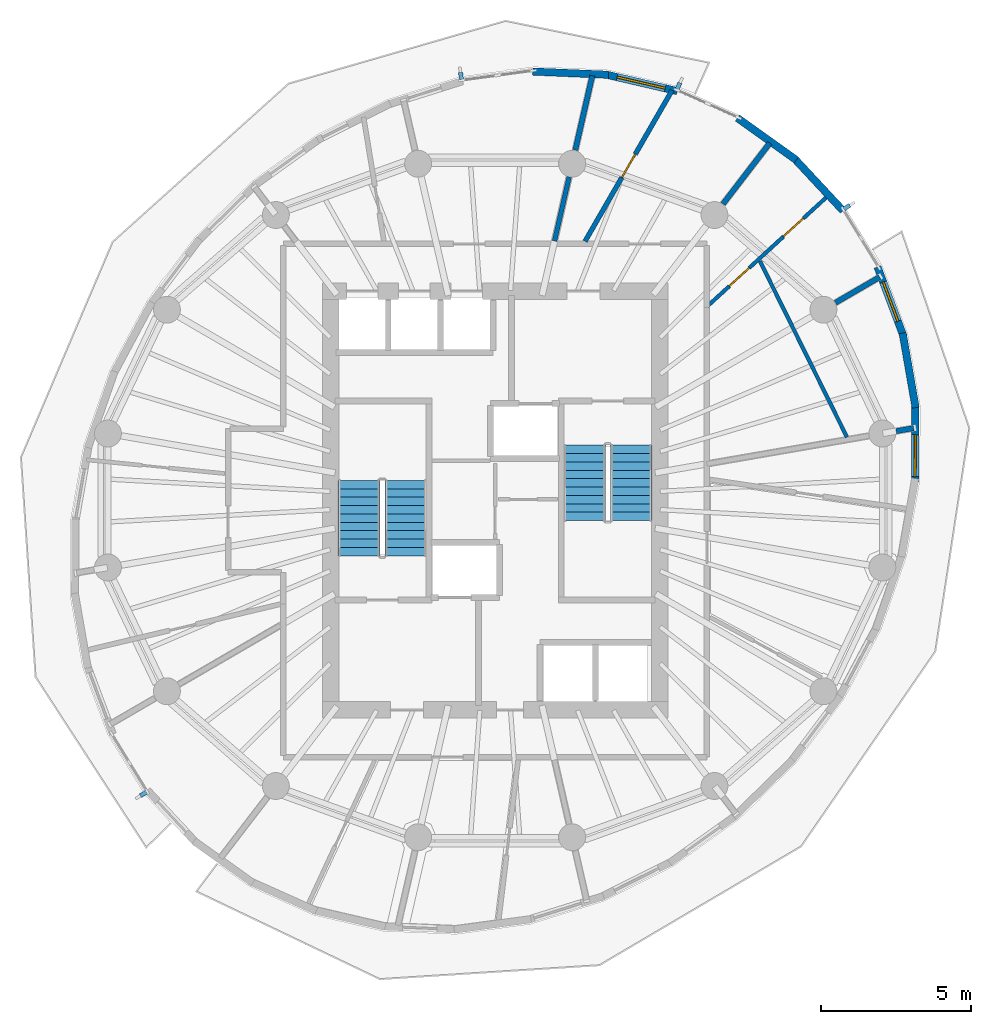
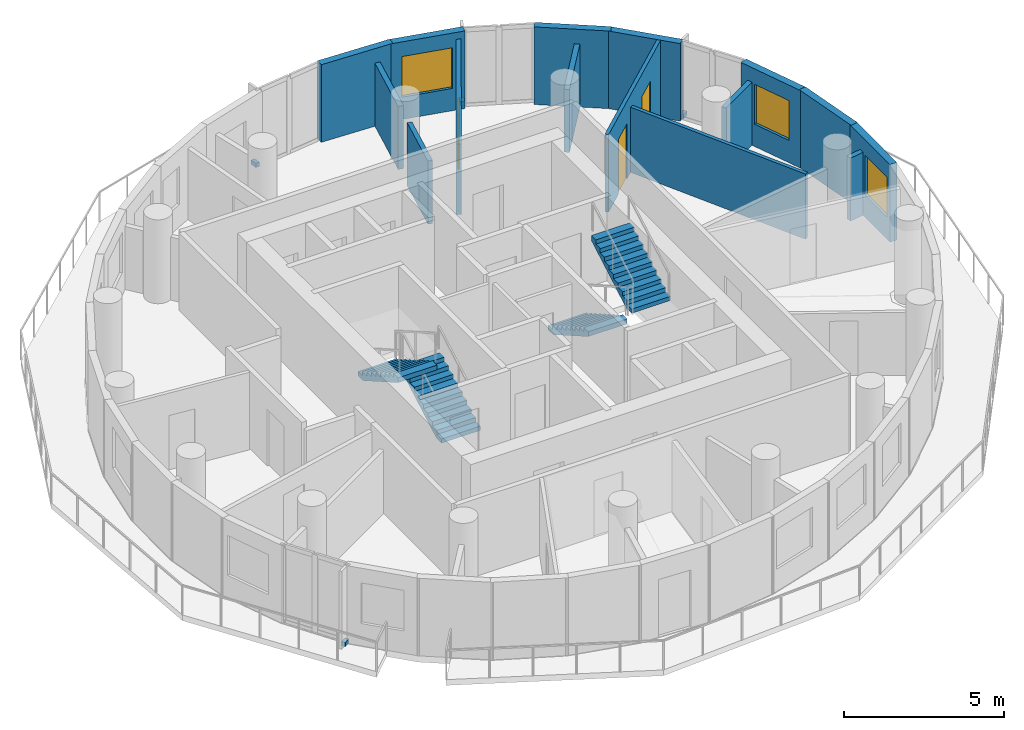
# One storey, part 7 of 10: 15 walls, 4 discrete accessories, 4 stair flights, 3 doors, 3 windows, 6 openings, 2 elements without a shape of their own.
"""IFC4 building model written with IfcOpenShell, lengths in metres."""

from ifc_helpers import new_model, si_unit, direction, frame, frame_2d, origin, origin_2d, place, context, subcontext, project, spatial, polyline, rectangle, outline, extrude, material, layer, layer_set, type_object, element, fill, aggregate, save


model = new_model("IFC4")

# Units and contexts
model_context = context("Model", 3, precision=1e-05, world=origin(), true_north=direction((0.0, 1.0)))
body_context = subcontext(model_context, "Body", "Model", "MODEL_VIEW")
ifc_project = project(units=[si_unit("LENGTHUNIT", "METRE"), si_unit("AREAUNIT", "SQUARE_METRE"), si_unit("VOLUMEUNIT", "CUBIC_METRE"), si_unit("PLANEANGLEUNIT", "RADIAN"), si_unit("MASSUNIT", "GRAM", prefix="KILO")], contexts=[model_context])

# Site, building, storey
site_placement = place(None, origin())
site = spatial("IfcSite", under=ifc_project, at=site_placement, CompositionType="ELEMENT")
building_placement = place(site_placement, origin())
building = spatial("IfcBuilding", under=site, at=building_placement, Name="Veldorim Arch Residences", CompositionType="ELEMENT")
storey_placement = place(building_placement, frame((0.0, 0.0, 195.0400390625)))
storey = spatial("IfcBuildingStorey", under=building, at=storey_placement, Name="L58", CompositionType="ELEMENT", Elevation=195.0400390625)

# Wall, openings, doors
ifc_material_1 = material(Name="Acoustic Gypsum Board", Category="gypsum")
ifc_layer_1 = layer(ifc_material_1, 0.125, Name="Acoustic Stud Room Partition Wall 125")
ifc_layer_set_1 = layer_set([ifc_layer_1], Name="Acoustic Gypsum Board")
wall_type_1 = type_object("IfcWallType", Name="Acoustic Stud Room Partition Wall 125", PredefinedType="PARTITIONING", material=ifc_layer_set_1)
wall_1_placement = place(storey_placement, frame((43.140380859375, 34.198486328125, 0.0), z_axis=(0.0, 0.0, 1.0), x_axis=(-0.737575567473, -0.675264601668, 0.0)))
wall_1 = element("IfcWall", 1, at=wall_1_placement, inside=storey, type_object=wall_type_1, Name="L58 interior wall WL-RES-L58-019", PredefinedType="PARTITIONING", context=body_context, shape_type="SweptSolid", body=[
    extrude(rectangle(XDim=5.5048828125, YDim=0.125, at=frame_2d((2.75244140625, 0.0))), origin(), (0.0, 0.0, 1.0), 2.955078125),
])
opening_1_placement = place(wall_1_placement, frame((1.13330078125, 0.0, 0.0)))
opening_1 = element("IfcOpeningElement", 2, at=opening_1_placement, cuts=wall_1, Name="Opening DR-INT", PredefinedType="OPENING", context=body_context, shape_type="SweptSolid", body=[
    extrude(rectangle(XDim=0.89990234375, YDim=2.10009765625, at=frame_2d((0.449951171875, 1.050048828125))), frame((0.0, 0.072509765625, 0.0), z_axis=(0.0, -1.0, 0.0), x_axis=(1.0, 0.0, 0.0)), (0.0, 0.0, 1.0), 0.14501953125),
])
opening_2_placement = place(wall_1_placement, frame((3.58544921875, 0.0, 0.0)))
opening_2 = element("IfcOpeningElement", 3, at=opening_2_placement, cuts=wall_1, Name="Opening DR-INT", PredefinedType="OPENING", context=body_context, shape_type="SweptSolid", body=[
    extrude(rectangle(XDim=0.89990234375, YDim=2.10009765625, at=frame_2d((0.449951171875, 1.050048828125))), frame((0.0, 0.072509765625, 0.0), z_axis=(0.0, -1.0, 0.0), x_axis=(1.0, 0.0, 0.0)), (0.0, 0.0, 1.0), 0.14501953125),
])
ifc_material_2 = material(Name="Engineered Timber", Category="wood")
door_type_1 = type_object("IfcDoorType", Name="Apartment Internal Room Timber Door 900x2100", OperationType="SINGLE_SWING_LEFT", PredefinedType="DOOR", material=ifc_material_2)
door_1_placement = place(opening_1_placement, origin())
door_1 = element("IfcDoor", 4, at=door_1_placement, inside=storey, type_object=door_type_1, Name="L58 interior door DR-RES-L58-009", OperationType="SINGLE_SWING_LEFT", OverallHeight=2.10009765625, OverallWidth=0.89990234375, PredefinedType="DOOR", context=body_context, shape_type="SweptSolid", body=[
    extrude(rectangle(XDim=0.89990234375, YDim=2.10009765625, at=frame_2d((0.449951171875, 1.050048828125))), frame((0.0, 0.02490234375, 0.0), z_axis=(0.0, -1.0, 0.0), x_axis=(1.0, 0.0, 0.0)), (0.0, 0.0, 1.0), 0.050048828125),
])
fill(opening_1, door_1)
door_2_placement = place(opening_2_placement, origin())
door_2 = element("IfcDoor", 5, at=door_2_placement, inside=storey, type_object=door_type_1, Name="L58 interior door DR-RES-L58-010", OperationType="SINGLE_SWING_RIGHT", OverallHeight=2.10009765625, OverallWidth=0.89990234375, PredefinedType="DOOR", context=body_context, shape_type="SweptSolid", body=[
    extrude(rectangle(XDim=0.89990234375, YDim=2.10009765625, at=frame_2d((0.449951171875, 1.050048828125))), frame((0.0, 0.02490234375, 0.0), z_axis=(0.0, -1.0, 0.0), x_axis=(1.0, 0.0, 0.0)), (0.0, 0.0, 1.0), 0.050048828125),
])
fill(opening_2, door_2)

# Walls
wall_2_placement = place(storey_placement, frame((43.7666015625, 26.11328125, 0.0), z_axis=(0.0, 0.0, 1.0), x_axis=(-0.443135854585, 0.89645446866, 0.0)))
element("IfcWall", 6, at=wall_2_placement, inside=storey, type_object=wall_type_1, Name="L58 interior wall WL-RES-L58-021", PredefinedType="PARTITIONING", context=body_context, shape_type="SweptSolid", body=[
    extrude(rectangle(XDim=6.5693359375, YDim=0.125, at=frame_2d((3.28466796875, 0.0))), origin(), (0.0, 0.0, 1.0), 2.488037109375),
])
ifc_material_3 = material(Name="Lightweight Masonry Block & Gypsum", Category="masonry")
ifc_layer_2 = layer(ifc_material_3, 0.179931640625, Name="Compartment & Corridor Fire-Rated Party Wall 180")
ifc_layer_set_2 = layer_set([ifc_layer_2], Name="Lightweight Masonry Block & Gypsum")
wall_type_2 = type_object("IfcWallType", Name="Compartment & Corridor Fire-Rated Party Wall 180", PredefinedType="PARTITIONING", material=ifc_layer_set_2)
wall_3_placement = place(storey_placement, frame((45.409423828125, 26.319580078125, 0.0), z_axis=(0.0, 0.0, 1.0), x_axis=(0.985338517658, 0.170610684362, 0.0)))
element("IfcWall", 7, at=wall_3_placement, inside=storey, type_object=wall_type_2, Name="L58 interior wall WL-PIER-L58-01", PredefinedType="PARTITIONING", context=body_context, shape_type="SweptSolid", body=[
    extrude(rectangle(XDim=0.592529296875, YDim=0.179931640625, at=frame_2d((0.29638671875, 0.0))), origin(), (0.0, 0.0, 1.0), 2.4033203125),
])
wall_4_placement = place(storey_placement, frame((43.3818359375, 30.614013671875, 0.0), z_axis=(0.0, 0.0, 1.0), x_axis=(0.864618511529, 0.502428929821, 0.0)))
element("IfcWall", 8, at=wall_4_placement, inside=storey, type_object=wall_type_2, Name="L58 interior wall WL-PIER-L58-02", PredefinedType="PARTITIONING", context=body_context, shape_type="SweptSolid", body=[
    extrude(rectangle(XDim=1.7060546875, YDim=0.179931640625, at=frame_2d((0.85302734375, 0.0))), origin(), (0.0, 0.0, 1.0), 2.4033203125),
])
wall_5_placement = place(storey_placement, frame((39.619873046875, 33.91796875, 0.0), z_axis=(0.0, 0.0, 1.0), x_axis=(0.60921849036, 0.79300241551, 0.0)))
element("IfcWall", 9, at=wall_5_placement, inside=storey, type_object=wall_type_2, Name="L58 interior wall WL-PIER-L58-03", PredefinedType="PARTITIONING", context=body_context, shape_type="SweptSolid", body=[
    extrude(rectangle(XDim=2.565185546875, YDim=0.179931640625, at=frame_2d((1.28271484375, 0.0))), origin(), (0.0, 0.0, 1.0), 2.4033203125),
])
wall_6_placement = place(storey_placement, frame((34.679931640625, 35.717529296875, 0.0), z_axis=(0.0, 0.0, 1.0), x_axis=(0.22299363946, 0.974819899654, 0.0)))
element("IfcWall", 10, at=wall_6_placement, inside=storey, type_object=wall_type_2, Name="L58 interior wall WL-PIER-L58-04", PredefinedType="PARTITIONING", context=body_context, shape_type="SweptSolid", body=[
    extrude(rectangle(XDim=2.552001953125, YDim=0.179931640625, at=frame_2d((1.27587890625, 0.0))), origin(), (0.0, 0.0, 1.0), 2.4033203125),
])
ifc_material_4 = material(Name="Precast concrete C40/50", Category="concrete")
ifc_layer_3 = layer(ifc_material_4, 0.25, Name="Tower Terracotta Spandrel & Pier Wall 250")
ifc_layer_set_3 = layer_set([ifc_layer_3], Name="Precast concrete C40/50")
wall_type_3 = type_object("IfcWallType", Name="Tower Terracotta Spandrel & Pier Wall 250", PredefinedType="SOLIDWALL", material=ifc_layer_set_3)
wall_7_placement = place(storey_placement, frame((40.106201171875, 36.788330078125, 0.0), z_axis=(0.0, 0.0, 1.0), x_axis=(0.813794949485, -0.581152114504, 0.0)))
element("IfcWall", 11, at=wall_7_placement, inside=storey, type_object=wall_type_3, Name="L58 terracotta facade wall 01", PredefinedType="SOLIDWALL", context=body_context, shape_type="SweptSolid", body=[
    extrude(rectangle(XDim=2.414794921875, YDim=0.25, at=frame_2d((1.20751953125, 0.0))), origin(), (0.0, 0.0, 1.0), 2.9599609375),
])

# Wall, opening, window
wall_8_placement = place(storey_placement, frame((35.676025390625, 38.252685546875, 0.0), z_axis=(0.0, 0.0, 1.0), x_axis=(0.974096425092, -0.226133046286, 0.0)))
wall_8 = element("IfcWall", 12, at=wall_8_placement, inside=storey, type_object=wall_type_3, Name="L58 terracotta facade wall 03", PredefinedType="SOLIDWALL", context=body_context, shape_type="SweptSolid", body=[
    extrude(rectangle(XDim=2.477783203125, YDim=0.25, at=frame_2d((1.23876953125, 0.0))), origin(), (0.0, 0.0, 1.0), 2.9599609375),
])
opening_3_placement = place(wall_8_placement, frame((0.4140625, 0.0, 0.85009765625)))
opening_3 = element("IfcOpeningElement", 13, at=opening_3_placement, cuts=wall_8, Name="Opening WN-03", PredefinedType="OPENING", context=body_context, shape_type="SweptSolid", body=[
    extrude(rectangle(XDim=1.64990234375, YDim=1.550048828125, at=frame_2d((0.824951171875, 0.77490234375))), frame((0.0, 0.135009765625, 0.0), z_axis=(0.0, -1.0, 0.0), x_axis=(1.0, 0.0, 0.0)), (0.0, 0.0, 1.0), 0.27001953125),
])
ifc_material_5 = material(Name="Laminated Low-E Glass", Category="glass")
window_type_1 = type_object("IfcWindowType", Name="Residential Wide Window 1650x1550", PartitioningType="SINGLE_PANEL", PredefinedType="WINDOW", material=ifc_material_5)
window_1_placement = place(opening_3_placement, origin())
window_1 = element("IfcWindow", 14, at=window_1_placement, inside=storey, type_object=window_type_1, Name="L58 solar-control facade window 03", OverallHeight=1.550048828125, OverallWidth=1.64990234375, PartitioningType="SINGLE_PANEL", PredefinedType="WINDOW", context=body_context, shape_type="SweptSolid", body=[
    extrude(rectangle(XDim=1.64990234375, YDim=1.550048828125, at=frame_2d((0.824951171875, 0.77490234375))), frame((0.0, 0.030029296875, 0.0), z_axis=(0.0, -1.0, 0.0), x_axis=(1.0, 0.0, 0.0)), (0.0, 0.0, 1.0), 0.06005859375),
])
fill(opening_3, window_1)

# Wall
wall_9_placement = place(storey_placement, frame((33.258056640625, 38.344970703125, 0.0), z_axis=(0.0, 0.0, 1.0), x_axis=(0.999099670747, -0.042424614469, 0.0)))
element("IfcWall", 15, at=wall_9_placement, inside=storey, type_object=wall_type_3, Name="L58 terracotta facade wall 04", PredefinedType="SOLIDWALL", context=body_context, shape_type="SweptSolid", body=[
    extrude(rectangle(XDim=2.531982421875, YDim=0.25, at=frame_2d((1.26611328125, 0.0))), origin(), (0.0, 0.0, 1.0), 2.9599609375),
])

# Wall, opening, window
wall_10_placement = place(storey_placement, frame((46.052001953125, 27.21630859375, 0.0), z_axis=(0.0, 0.0, 1.0), x_axis=(-0.004803561421, -0.999988462832, 0.0)))
wall_10 = element("IfcWall", 16, at=wall_10_placement, inside=storey, type_object=wall_type_3, Name="L58 terracotta facade wall 32", PredefinedType="SOLIDWALL", context=body_context, shape_type="SweptSolid", body=[
    extrude(rectangle(XDim=2.592041015625, YDim=0.25, at=frame_2d((1.2958984375, 0.0))), origin(), (0.0, 0.0, 1.0), 2.9599609375),
])
opening_4_placement = place(wall_10_placement, frame((1.01708984375, 0.0, 0.85009765625)))
opening_4 = element("IfcOpeningElement", 17, at=opening_4_placement, cuts=wall_10, Name="Opening WN-02", PredefinedType="OPENING", context=body_context, shape_type="SweptSolid", body=[
    extrude(rectangle(XDim=1.39990234375, YDim=1.52001953125, at=frame_2d((0.699951171875, 0.760009765625))), frame((0.0, 0.135009765625, 0.0), z_axis=(0.0, -1.0, 0.0), x_axis=(1.0, 0.0, 0.0)), (0.0, 0.0, 1.0), 0.27001953125),
])
ifc_material_6 = material(Name="Laminated Low-E Glass", Category="glass")
window_type_2 = type_object("IfcWindowType", Name="Residential Casement Window 1400x1550", PartitioningType="SINGLE_PANEL", PredefinedType="WINDOW", material=ifc_material_6)
window_2_placement = place(opening_4_placement, origin())
window_2 = element("IfcWindow", 18, at=window_2_placement, inside=storey, type_object=window_type_2, Name="L58 solar-control facade window 32", OverallHeight=1.52001953125, OverallWidth=1.39990234375, PartitioningType="SINGLE_PANEL", PredefinedType="WINDOW", context=body_context, shape_type="SweptSolid", body=[
    extrude(rectangle(XDim=1.39990234375, YDim=1.52001953125, at=frame_2d((0.699951171875, 0.760009765625))), frame((0.0, 0.030029296875, 0.0), z_axis=(0.0, -1.0, 0.0), x_axis=(1.0, 0.0, 0.0)), (0.0, 0.0, 1.0), 0.06005859375),
])
fill(opening_4, window_2)

# Wall
wall_11_placement = place(storey_placement, frame((45.627197265625, 29.599609375, 0.0), z_axis=(0.0, 0.0, 1.0), x_axis=(0.17143069214, -0.985196182388, 0.0)))
element("IfcWall", 19, at=wall_11_placement, inside=storey, type_object=wall_type_3, Name="L58 terracotta facade wall 33", PredefinedType="SOLIDWALL", context=body_context, shape_type="SweptSolid", body=[
    extrude(rectangle(XDim=2.5322265625, YDim=0.25, at=frame_2d((1.26611328125, 0.0))), origin(), (0.0, 0.0, 1.0), 2.9599609375),
])

# Wall, opening, window
wall_12_placement = place(storey_placement, frame((44.78857421875, 31.811279296875, 0.0), z_axis=(0.0, 0.0, 1.0), x_axis=(0.350367491805, -0.93661231077, 0.0)))
wall_12 = element("IfcWall", 20, at=wall_12_placement, inside=storey, type_object=wall_type_3, Name="L58 terracotta facade wall 34", PredefinedType="SOLIDWALL", context=body_context, shape_type="SweptSolid", body=[
    extrude(rectangle(XDim=2.477783203125, YDim=0.25, at=frame_2d((1.23876953125, 0.0))), origin(), (0.0, 0.0, 1.0), 2.9599609375),
])
opening_5_placement = place(wall_12_placement, frame((0.5390625, 0.0, 0.85009765625)))
opening_5 = element("IfcOpeningElement", 21, at=opening_5_placement, cuts=wall_12, Name="Opening WN-02", PredefinedType="OPENING", context=body_context, shape_type="SweptSolid", body=[
    extrude(rectangle(XDim=1.39990234375, YDim=1.52001953125, at=frame_2d((0.699951171875, 0.760009765625))), frame((0.0, 0.135009765625, 0.0), z_axis=(0.0, -1.0, 0.0), x_axis=(1.0, 0.0, 0.0)), (0.0, 0.0, 1.0), 0.27001953125),
])
window_3_placement = place(opening_5_placement, origin())
window_3 = element("IfcWindow", 22, at=window_3_placement, inside=storey, type_object=window_type_2, Name="L58 solar-control facade window 34", OverallHeight=1.52001953125, OverallWidth=1.39990234375, PartitioningType="SINGLE_PANEL", PredefinedType="WINDOW", context=body_context, shape_type="SweptSolid", body=[
    extrude(rectangle(XDim=1.39990234375, YDim=1.52001953125, at=frame_2d((0.699951171875, 0.760009765625))), frame((0.0, 0.030029296875, 0.0), z_axis=(0.0, -1.0, 0.0), x_axis=(1.0, 0.0, 0.0)), (0.0, 0.0, 1.0), 0.06005859375),
])
fill(opening_5, window_3)

# Wall
wall_13_placement = place(storey_placement, frame((41.985107421875, 35.460693359375, 0.0), z_axis=(0.0, 0.0, 1.0), x_axis=(0.681640731319, -0.731687032417, 0.0)))
element("IfcWall", 23, at=wall_13_placement, inside=storey, type_object=wall_type_3, Name="L58 terracotta facade wall 36", PredefinedType="SOLIDWALL", context=body_context, shape_type="SweptSolid", body=[
    extrude(rectangle(XDim=2.414794921875, YDim=0.25, at=frame_2d((1.20751953125, 0.0))), origin(), (0.0, 0.0, 1.0), 2.9599609375),
])

# Wall, opening, door
ifc_material_7 = material(Name="Moisture-Resistant Gypsum & Stud", Category="gypsum")
ifc_layer_4 = layer(ifc_material_7, 0.159912109375, Name="Wet-Area Moisture-Resistant Plumbing Wall 160")
ifc_layer_set_4 = layer_set([ifc_layer_4], Name="Moisture-Resistant Gypsum & Stud")
wall_type_4 = type_object("IfcWallType", Name="Wet-Area Moisture-Resistant Plumbing Wall 160", PredefinedType="PLUMBINGWALL", material=ifc_layer_set_4)
wall_14_placement = place(storey_placement, frame((35.00537109375, 32.66650390625, 0.0), z_axis=(0.0, 0.0, 1.0), x_axis=(0.499495237235, 0.866316632635, 0.0)))
wall_14 = element("IfcWall", 24, at=wall_14_placement, inside=storey, type_object=wall_type_4, Name="L58 interior wall WL-RES-L58-018", PredefinedType="PLUMBINGWALL", context=body_context, shape_type="SweptSolid", body=[
    extrude(rectangle(XDim=5.82958984375, YDim=0.159912109375, at=frame_2d((2.914794921875, 0.0))), origin(), (0.0, 0.0, 1.0), 2.69189453125),
])
opening_6_placement = place(wall_14_placement, frame((2.46484375, 0.0, 0.0)))
opening_6 = element("IfcOpeningElement", 25, at=opening_6_placement, cuts=wall_14, Name="Opening DR-WC", PredefinedType="OPENING", context=body_context, shape_type="SweptSolid", body=[
    extrude(rectangle(XDim=0.89990234375, YDim=2.10009765625, at=frame_2d((0.449951171875, 1.050048828125))), frame((0.0, 0.08984375, 0.0), z_axis=(0.0, -1.0, 0.0), x_axis=(1.0, 0.0, 0.0)), (0.0, 0.0, 1.0), 0.179931640625),
])
ifc_material_8 = material(Name="Laminate Timber", Category="wood")
door_type_2 = type_object("IfcDoorType", Name="Bathroom & Accessible WC Moisture-Sealed Door 900x2100", OperationType="SINGLE_SWING_LEFT", PredefinedType="DOOR", material=ifc_material_8)
door_3_placement = place(opening_6_placement, origin())
door_3 = element("IfcDoor", 26, at=door_3_placement, inside=storey, type_object=door_type_2, Name="L58 interior door DR-RES-L58-008", OperationType="SINGLE_SWING_RIGHT", OverallHeight=2.10009765625, OverallWidth=0.89990234375, PredefinedType="DOOR", context=body_context, shape_type="SweptSolid", body=[
    extrude(rectangle(XDim=0.89990234375, YDim=2.10009765625, at=frame_2d((0.449951171875, 1.050048828125))), frame((0.0, 0.02490234375, 0.0), z_axis=(0.0, -1.0, 0.0), x_axis=(1.0, 0.0, 0.0)), (0.0, 0.0, 1.0), 0.050048828125),
])
fill(opening_6, door_3)

# Wall
wall_15_placement = place(storey_placement, frame((33.984619140625, 32.677490234375, 0.0), z_axis=(0.0, 0.0, 1.0), x_axis=(0.222969522248, 0.974825416241, 0.0)))
element("IfcWall", 27, at=wall_15_placement, inside=storey, type_object=wall_type_4, Name="L58 interior wall WL-RES-L58-020", PredefinedType="PLUMBINGWALL", context=body_context, shape_type="SweptSolid", body=[
    extrude(rectangle(XDim=2.19873046875, YDim=0.159912109375, at=frame_2d((1.099365234375, 0.0))), origin(), (0.0, 0.0, 1.0), 2.4033203125),
])

# Stair, stair flights
ifc_material_9 = material(Name="Concrete C40/50", Category="concrete")
stair_type = type_object("IfcStairType", Name="Reinforced Concrete Dogleg Exit Staircase", PredefinedType="HALF_TURN_STAIR", material=ifc_material_9)
stair_1_placement = place(storey_placement, origin())
stair_1 = element("IfcStair", 28, at=stair_1_placement, inside=storey, type_object=stair_type, Name="L58 Exit Staircase ST-1", PredefinedType="HALF_TURN_STAIR")
ifc_material_10 = material(Name="Concrete C40/50", Category="concrete")
stair_flight_type = type_object("IfcStairFlightType", Name="Reinforced Concrete Stair Flight 1400", PredefinedType="STRAIGHT", material=ifc_material_10)
stair_flight_1_placement = place(storey_placement, frame((29.010009765625, 22.14990234375, 0.0), z_axis=(0.0, 0.0, 1.0), x_axis=(0.0, 1.0, 0.0)))
stair_flight_1 = element("IfcStairFlight", 29, at=stair_flight_1_placement, type_object=stair_flight_type, Name="ST-1 flight 1", NumberOfRisers=10, NumberOfTreads=9, PredefinedType="STRAIGHT", RiserHeight=0.16, TreadLength=0.28, context=body_context, shape_type="SweptSolid", body=[
    extrude(outline(polyline([(0.0, 0.0), (0.0, 0.159912109375), (0.280029296875, 0.159912109375), (0.280029296875, 0.320068359375), (0.56005859375, 0.320068359375), (0.56005859375, 0.47998046875), (0.840087890625, 0.47998046875), (0.840087890625, 0.639892578125), (1.1201171875, 0.639892578125), (1.1201171875, 0.800048828125), (1.39990234375, 0.800048828125), (1.39990234375, 0.9599609375), (1.679931640625, 0.9599609375), (1.679931640625, 1.1201171875), (1.9599609375, 1.1201171875), (1.9599609375, 1.280029296875), (2.239990234375, 1.280029296875), (2.239990234375, 1.43994140625), (2.52001953125, 1.43994140625), (2.52001953125, 1.60009765625), (2.52001953125, 1.255859375), (0.322265625, 0.0), (0.0, 0.0)])), frame((0.0, 0.699951171875, 0.0), z_axis=(0.0, -1.0, 0.0), x_axis=(1.0, 0.0, 0.0)), (0.0, 0.0, 1.0), 1.39990234375),
])
stair_flight_2_placement = place(storey_placement, frame((27.449951171875, 24.669921875, 1.599853515625), z_axis=(0.0, 0.0, 1.0), x_axis=(0.0, -1.0, 0.0)))
stair_flight_2 = element("IfcStairFlight", 30, at=stair_flight_2_placement, type_object=stair_flight_type, Name="ST-1 flight 2", NumberOfRisers=10, NumberOfTreads=9, PredefinedType="STRAIGHT", RiserHeight=0.16, TreadLength=0.28, context=body_context, shape_type="SweptSolid", body=[
    extrude(outline(polyline([(0.0, 0.0), (0.0, 0.159912109375), (0.280029296875, 0.159912109375), (0.280029296875, 0.320068359375), (0.56005859375, 0.320068359375), (0.56005859375, 0.47998046875), (0.840087890625, 0.47998046875), (0.840087890625, 0.639892578125), (1.1201171875, 0.639892578125), (1.1201171875, 0.800048828125), (1.39990234375, 0.800048828125), (1.39990234375, 0.9599609375), (1.679931640625, 0.9599609375), (1.679931640625, 1.1201171875), (1.9599609375, 1.1201171875), (1.9599609375, 1.280029296875), (2.239990234375, 1.280029296875), (2.239990234375, 1.43994140625), (2.52001953125, 1.43994140625), (2.52001953125, 1.60009765625), (2.52001953125, 1.255859375), (0.322265625, 0.0), (0.0, 0.0)])), frame((0.0, 0.699951171875, 0.0), z_axis=(0.0, -1.0, 0.0), x_axis=(1.0, 0.0, 0.0)), (0.0, 0.0, 1.0), 1.39990234375),
])
aggregate(stair_1, [stair_flight_1, stair_flight_2])

stair_2_placement = place(storey_placement, origin())
stair_2 = element("IfcStair", 31, at=stair_2_placement, inside=storey, type_object=stair_type, Name="L58 Exit Staircase ST-2", PredefinedType="HALF_TURN_STAIR")
stair_flight_3_placement = place(storey_placement, frame((34.989990234375, 25.85009765625, 0.0), z_axis=(0.0, 0.0, 1.0), x_axis=(0.0, -1.0, 0.0)))
stair_flight_3 = element("IfcStairFlight", 32, at=stair_flight_3_placement, type_object=stair_flight_type, Name="ST-2 flight 1", NumberOfRisers=10, NumberOfTreads=9, PredefinedType="STRAIGHT", RiserHeight=0.16, TreadLength=0.28, context=body_context, shape_type="SweptSolid", body=[
    extrude(outline(polyline([(0.0, 0.0), (0.0, 0.159912109375), (0.280029296875, 0.159912109375), (0.280029296875, 0.320068359375), (0.56005859375, 0.320068359375), (0.56005859375, 0.47998046875), (0.840087890625, 0.47998046875), (0.840087890625, 0.639892578125), (1.1201171875, 0.639892578125), (1.1201171875, 0.800048828125), (1.39990234375, 0.800048828125), (1.39990234375, 0.9599609375), (1.679931640625, 0.9599609375), (1.679931640625, 1.1201171875), (1.9599609375, 1.1201171875), (1.9599609375, 1.280029296875), (2.239990234375, 1.280029296875), (2.239990234375, 1.43994140625), (2.52001953125, 1.43994140625), (2.52001953125, 1.60009765625), (2.52001953125, 1.255859375), (0.322265625, 0.0), (0.0, 0.0)])), frame((0.0, 0.699951171875, 0.0), z_axis=(0.0, -1.0, 0.0), x_axis=(1.0, 0.0, 0.0)), (0.0, 0.0, 1.0), 1.39990234375),
])
stair_flight_4_placement = place(storey_placement, frame((36.550048828125, 23.330078125, 1.599853515625), z_axis=(0.0, 0.0, 1.0), x_axis=(0.0, 1.0, 0.0)))
stair_flight_4 = element("IfcStairFlight", 33, at=stair_flight_4_placement, type_object=stair_flight_type, Name="ST-2 flight 2", NumberOfRisers=10, NumberOfTreads=9, PredefinedType="STRAIGHT", RiserHeight=0.16, TreadLength=0.28, context=body_context, shape_type="SweptSolid", body=[
    extrude(outline(polyline([(0.0, 0.0), (0.0, 0.159912109375), (0.280029296875, 0.159912109375), (0.280029296875, 0.320068359375), (0.56005859375, 0.320068359375), (0.56005859375, 0.47998046875), (0.840087890625, 0.47998046875), (0.840087890625, 0.639892578125), (1.1201171875, 0.639892578125), (1.1201171875, 0.800048828125), (1.39990234375, 0.800048828125), (1.39990234375, 0.9599609375), (1.679931640625, 0.9599609375), (1.679931640625, 1.1201171875), (1.9599609375, 1.1201171875), (1.9599609375, 1.280029296875), (2.239990234375, 1.280029296875), (2.239990234375, 1.43994140625), (2.52001953125, 1.43994140625), (2.52001953125, 1.60009765625), (2.52001953125, 1.255859375), (0.322265625, 0.0), (0.0, 0.0)])), frame((0.0, 0.699951171875, 0.0), z_axis=(0.0, -1.0, 0.0), x_axis=(1.0, 0.0, 0.0)), (0.0, 0.0, 1.0), 1.39990234375),
])
aggregate(stair_2, [stair_flight_3, stair_flight_4])

# Discrete accessories
ifc_material_11 = material(Name="Stainless Steel", Category="steel")
discrete_accessory_type = type_object("IfcDiscreteAccessoryType", Name="Stainless Steel Facade Fin Anchor Bracket", PredefinedType="BRACKET", material=ifc_material_11)
for number, where, z_axis, x_axis, name in (
    (34, (38.1318359375, 37.861328125, -0.02001953125), (0.0, 0.0, 1.0), (0.912477494148, -0.409126902895, 0.0), "L58 stainless fin anchor bracket 02"),
    (35, (30.8583984375, 38.194091796875, -0.02001953125), (0.0, 0.0, 1.0), (0.990959799621, 0.134159142573, 0.0), "L58 stainless fin anchor bracket 05"),
    (36, (20.239501953125, 14.189697265625, -0.02001953125), (0.0, 0.0, 1.0), (-0.523837243597, 0.851818373963, 0.0), "L58 stainless fin anchor bracket 17"),
    (37, (43.760498046875, 33.810302734375, -0.02001953125), (0.0, 0.0, 1.0), (0.523837243597, -0.851818373963, 0.0), "L58 stainless fin anchor bracket 35"),
):
    element("IfcDiscreteAccessory", number, at=place(storey_placement, frame(where, z_axis=z_axis, x_axis=x_axis)), inside=storey, type_object=discrete_accessory_type, Name=name, PredefinedType="BRACKET", context=body_context, shape_type="SweptSolid", body=[
        extrude(rectangle(XDim=0.139892578125, YDim=0.239990234375, at=origin_2d()), origin(), (0.0, 0.0, 1.0), 0.159912109375),
    ])

save(model, "model.ifc")
